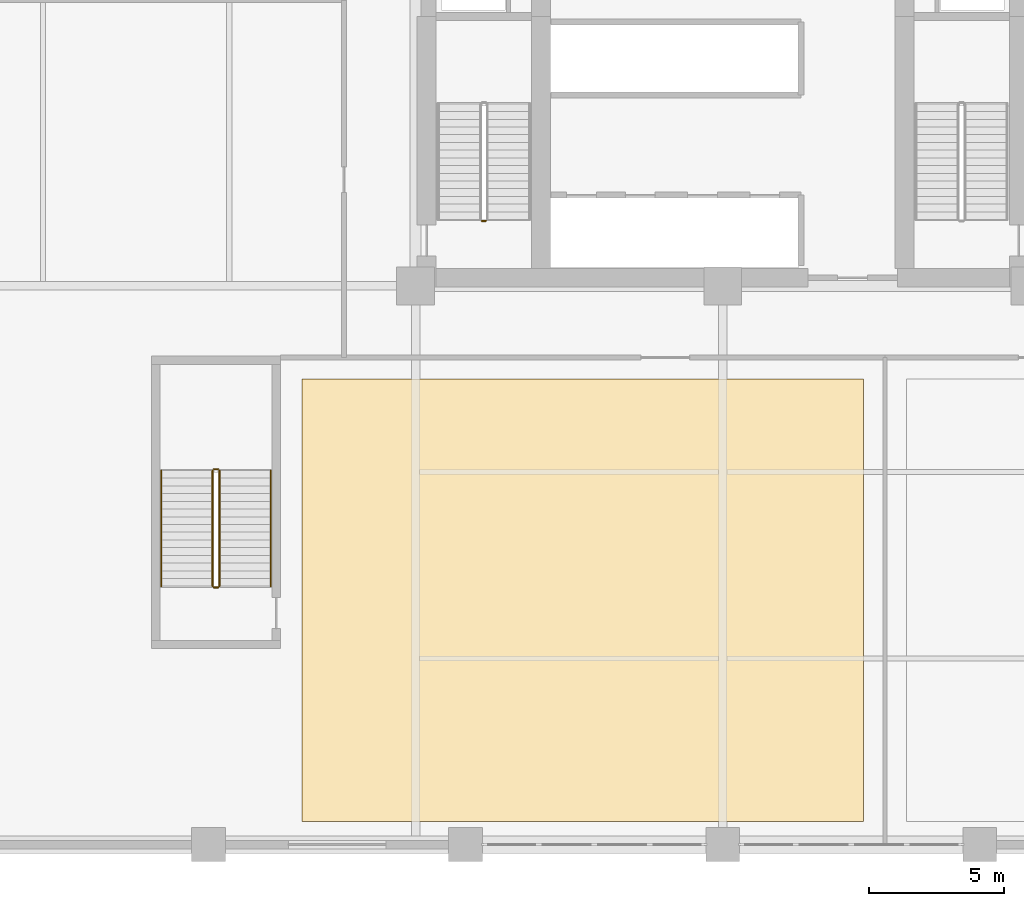
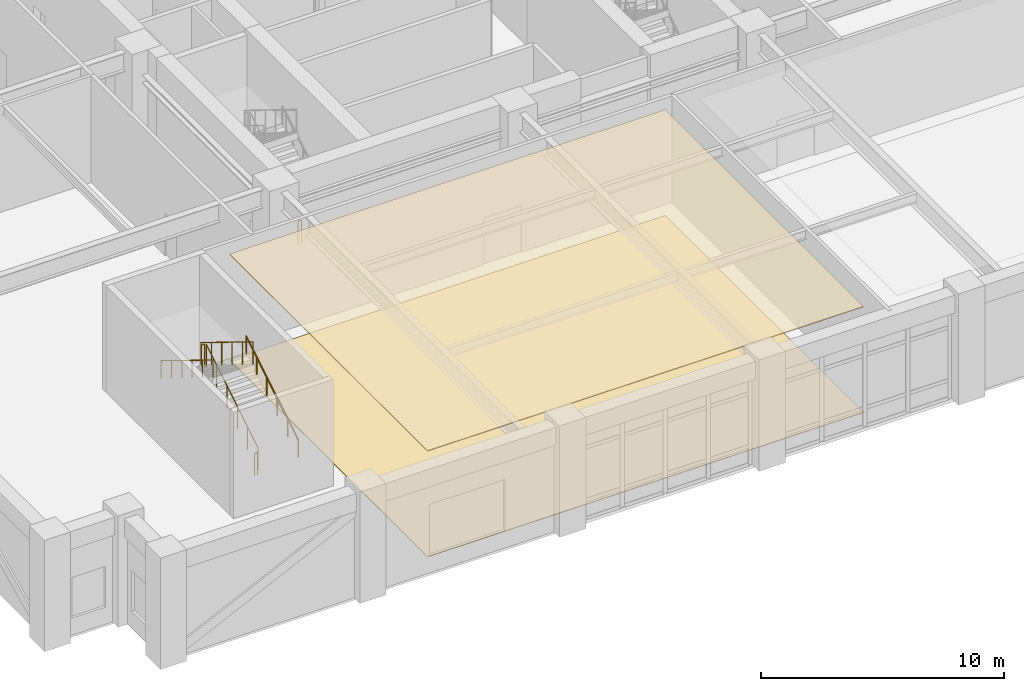
# One storey, part 16 of 21: 7 railings, 2 coverings.
"""IFC4 building model written with IfcOpenShell, lengths in metres."""

from ifc_helpers import new_model, si_unit, direction, frame, origin, origin_2d, place, context, subcontext, project, spatial, polyline, circle, outline, extrude, material, layer, layer_set, type_object, element, save


model = new_model("IFC4")

# Units and contexts
model_context = context("Model", 3, precision=1e-05, world=origin(), true_north=direction((0.0, 1.0)))
body_context = subcontext(model_context, "Body", "Model", "MODEL_VIEW")
ifc_project = project(units=[si_unit("LENGTHUNIT", "METRE"), si_unit("AREAUNIT", "SQUARE_METRE"), si_unit("VOLUMEUNIT", "CUBIC_METRE"), si_unit("PLANEANGLEUNIT", "RADIAN"), si_unit("MASSUNIT", "GRAM", prefix="KILO")], contexts=[model_context])

# Site, building, storey
site_placement = place(None, origin())
site = spatial("IfcSite", under=ifc_project, at=site_placement, CompositionType="ELEMENT")
building_placement = place(site_placement, origin())
building = spatial("IfcBuilding", under=site, at=building_placement, Name="Nhamokura Convention Tower", CompositionType="ELEMENT")
storey_placement = place(building_placement, frame((0.0, 0.0, 6.64990234375)))
storey = spatial("IfcBuildingStorey", under=building, at=storey_placement, Name="L01", CompositionType="ELEMENT", Elevation=6.64990234375)

# Coverings
ifc_material_1 = material(Name="Anodised bronze aluminium ceiling baffle", Category="aluminium")
ifc_layer_1 = layer(ifc_material_1, 0.0400390625)
ifc_layer_set_1 = layer_set([ifc_layer_1], Name="BronzeBaffleCeiling_40")
covering_type_1 = type_object("IfcCoveringType", Name="BronzeBaffleCeiling_40", PredefinedType="CEILING", material=ifc_layer_set_1)
covering_1_placement = place(storey_placement, frame((0.0, 0.0, 5.320068359375)))
element("IfcCovering", 1, at=covering_1_placement, inside=storey, type_object=covering_type_1, Name="L01 Suspended Ceiling 03", PredefinedType="CEILING", context=body_context, shape_type="SweptSolid", body=[
    extrude(outline(polyline([(16.449951171875, 0.860107421875), (37.199951171875, 0.860107421875), (37.199951171875, 17.199951171875), (16.449951171875, 17.199951171875), (16.449951171875, 0.860107421875)])), origin(), (0.0, 0.0, 1.0), 0.0400390625),
])
ifc_material_2 = material(Name="Polished Sabana granite terrazzo", Category="masonry")
ifc_layer_2 = layer(ifc_material_2, 0.030029296875)
ifc_layer_set_2 = layer_set([ifc_layer_2], Name="SabanaTerrazzoFlooring_30")
covering_type_2 = type_object("IfcCoveringType", Name="SabanaTerrazzoFlooring_30", PredefinedType="FLOORING", material=ifc_layer_set_2)
covering_2_placement = place(storey_placement, origin())
element("IfcCovering", 2, at=covering_2_placement, inside=storey, type_object=covering_type_2, Name="L01 Finish Flooring 03", PredefinedType="FLOORING", context=body_context, shape_type="SweptSolid", body=[
    extrude(outline(polyline([(16.449951171875, 0.860107421875), (37.199951171875, 0.860107421875), (37.199951171875, 17.199951171875), (16.449951171875, 17.199951171875), (16.449951171875, 0.860107421875)])), origin(), (0.0, 0.0, 1.0), 0.030029296875),
])

# Railings
ifc_material_3 = material(Name="Anodised bronze stainless steel", Category="steel")
railing_type_1 = type_object("IfcRailingType", Name="StairWallHandrail_900", PredefinedType="HANDRAIL", material=ifc_material_3)
railing_1_placement = place(storey_placement, frame((15.300048828125, 9.550048828125, 0.175048828125)))
element("IfcRailing", 3, at=railing_1_placement, inside=storey, type_object=railing_type_1, Name="L01 ST-04 stair handrail 1", PredefinedType="HANDRAIL", context=body_context, shape_type="SweptSolid", body=[
    extrude(circle(Radius=0.02392578125, at=origin_2d()), frame((0.0, 0.0, 0.8759765625), z_axis=(0.0, 0.852165895541, 0.523271713813), x_axis=(-1.0, 0.0, 0.0)), (0.0, 0.0, 1.0), 5.0166015625),
    extrude(circle(Radius=0.02099609375, at=origin_2d()), origin(), (0.0, 0.0, 1.0), 0.851806640625),
    extrude(circle(Radius=0.02099609375, at=origin_2d()), frame((0.0, 0.85498046875, 0.52490234375)), (0.0, 0.0, 1.0), 0.851806640625),
    extrude(circle(Radius=0.02099609375, at=origin_2d()), frame((0.0, 1.7099609375, 1.050048828125)), (0.0, 0.0, 1.0), 0.851806640625),
    extrude(circle(Radius=0.02099609375, at=origin_2d()), frame((0.0, 2.56494140625, 1.574951171875)), (0.0, 0.0, 1.0), 0.851806640625),
    extrude(circle(Radius=0.02099609375, at=origin_2d()), frame((0.0, 3.419921875, 2.10009765625)), (0.0, 0.0, 1.0), 0.851806640625),
    extrude(circle(Radius=0.02099609375, at=origin_2d()), frame((0.0, 4.27490234375, 2.625)), (0.0, 0.0, 1.0), 0.851806640625),
])
railing_2_placement = place(storey_placement, frame((11.25, 13.824951171875, 2.97509765625)))
element("IfcRailing", 4, at=railing_2_placement, inside=storey, type_object=railing_type_1, Name="L01 ST-04 stair handrail 2", PredefinedType="HANDRAIL", context=body_context, shape_type="SweptSolid", body=[
    extrude(circle(Radius=0.02392578125, at=origin_2d()), frame((0.0, 0.0, 0.8759765625), z_axis=(0.0, -0.852165895541, 0.523271713813), x_axis=(1.0, 0.0, 0.0)), (0.0, 0.0, 1.0), 5.0166015625),
    extrude(circle(Radius=0.02099609375, at=origin_2d()), origin(), (0.0, 0.0, 1.0), 0.851806640625),
    extrude(circle(Radius=0.02099609375, at=origin_2d()), frame((0.0, -0.85498046875, 0.52490234375)), (0.0, 0.0, 1.0), 0.851806640625),
    extrude(circle(Radius=0.02099609375, at=origin_2d()), frame((0.0, -1.7099609375, 1.050048828125)), (0.0, 0.0, 1.0), 0.851806640625),
    extrude(circle(Radius=0.02099609375, at=origin_2d()), frame((0.0, -2.56494140625, 1.574951171875)), (0.0, 0.0, 1.0), 0.851806640625),
    extrude(circle(Radius=0.02099609375, at=origin_2d()), frame((0.0, -3.419921875, 2.10009765625)), (0.0, 0.0, 1.0), 0.851806640625),
    extrude(circle(Radius=0.02099609375, at=origin_2d()), frame((0.0, -4.27490234375, 2.625)), (0.0, 0.0, 1.0), 0.851806640625),
])
ifc_material_4 = material(Name="Painted tubular steel", Category="steel")
railing_type_2 = type_object("IfcRailingType", Name="StairWellGuardrail_1150", PredefinedType="GUARDRAIL", material=ifc_material_4)
railing_3_placement = place(storey_placement, frame((23.25, 23.050048828125, 0.0)))
element("IfcRailing", 5, at=railing_3_placement, inside=storey, type_object=railing_type_2, Name="L01 ST-01 stair guard 4", PredefinedType="GUARDRAIL", context=body_context, shape_type="SweptSolid", body=[
    extrude(circle(Radius=0.02392578125, at=origin_2d()), frame((0.0, 0.0, 1.1259765625), z_axis=(-1.0, 0.0, 0.0), x_axis=(0.0, -1.0, 0.0)), (0.0, 0.0, 1.0), 0.14990234375),
    extrude(circle(Radius=0.02099609375, at=origin_2d()), origin(), (0.0, 0.0, 1.0), 1.101806640625),
    extrude(circle(Radius=0.02099609375, at=origin_2d()), frame((-0.14990234375, 0.0, 0.0)), (0.0, 0.0, 1.0), 1.101806640625),
])
railing_4_placement = place(storey_placement, frame((13.39990234375, 9.550048828125, 0.175048828125)))
element("IfcRailing", 6, at=railing_4_placement, inside=storey, type_object=railing_type_2, Name="L01 ST-04 stair guard 1", PredefinedType="GUARDRAIL", context=body_context, shape_type="SweptSolid", body=[
    extrude(circle(Radius=0.02392578125, at=origin_2d()), frame((0.0, 0.0, 1.1259765625), z_axis=(0.0, 0.852165895541, 0.523271713813), x_axis=(-1.0, 0.0, 0.0)), (0.0, 0.0, 1.0), 5.0166015625),
    extrude(circle(Radius=0.02099609375, at=origin_2d()), origin(), (0.0, 0.0, 1.0), 1.101806640625),
    extrude(circle(Radius=0.02099609375, at=origin_2d()), frame((0.0, 0.85498046875, 0.52490234375)), (0.0, 0.0, 1.0), 1.101806640625),
    extrude(circle(Radius=0.02099609375, at=origin_2d()), frame((0.0, 1.7099609375, 1.050048828125)), (0.0, 0.0, 1.0), 1.101806640625),
    extrude(circle(Radius=0.02099609375, at=origin_2d()), frame((0.0, 2.56494140625, 1.574951171875)), (0.0, 0.0, 1.0), 1.101806640625),
    extrude(circle(Radius=0.02099609375, at=origin_2d()), frame((0.0, 3.419921875, 2.10009765625)), (0.0, 0.0, 1.0), 1.101806640625),
    extrude(circle(Radius=0.02099609375, at=origin_2d()), frame((0.0, 4.27490234375, 2.625)), (0.0, 0.0, 1.0), 1.101806640625),
])
railing_5_placement = place(storey_placement, frame((13.35009765625, 13.875, 2.800048828125)))
element("IfcRailing", 7, at=railing_5_placement, inside=storey, type_object=railing_type_2, Name="L01 ST-04 stair guard 2", PredefinedType="GUARDRAIL", context=body_context, shape_type="SweptSolid", body=[
    extrude(circle(Radius=0.02392578125, at=origin_2d()), frame((0.0, 0.0, 1.1259765625), z_axis=(-1.0, 0.0, 0.0), x_axis=(0.0, -1.0, 0.0)), (0.0, 0.0, 1.0), 0.150146484375),
    extrude(circle(Radius=0.02099609375, at=origin_2d()), origin(), (0.0, 0.0, 1.0), 1.101806640625),
    extrude(circle(Radius=0.02099609375, at=origin_2d()), frame((-0.150146484375, 0.0, 0.0)), (0.0, 0.0, 1.0), 1.101806640625),
])
railing_6_placement = place(storey_placement, frame((13.14990234375, 13.824951171875, 2.97509765625)))
element("IfcRailing", 8, at=railing_6_placement, inside=storey, type_object=railing_type_2, Name="L01 ST-04 stair guard 3", PredefinedType="GUARDRAIL", context=body_context, shape_type="SweptSolid", body=[
    extrude(circle(Radius=0.02392578125, at=origin_2d()), frame((0.0, 0.0, 1.1259765625), z_axis=(0.0, -0.852165895541, 0.523271713813), x_axis=(1.0, 0.0, 0.0)), (0.0, 0.0, 1.0), 5.0166015625),
    extrude(circle(Radius=0.02099609375, at=origin_2d()), origin(), (0.0, 0.0, 1.0), 1.101806640625),
    extrude(circle(Radius=0.02099609375, at=origin_2d()), frame((0.0, -0.85498046875, 0.52490234375)), (0.0, 0.0, 1.0), 1.101806640625),
    extrude(circle(Radius=0.02099609375, at=origin_2d()), frame((0.0, -1.7099609375, 1.050048828125)), (0.0, 0.0, 1.0), 1.101806640625),
    extrude(circle(Radius=0.02099609375, at=origin_2d()), frame((0.0, -2.56494140625, 1.574951171875)), (0.0, 0.0, 1.0), 1.101806640625),
    extrude(circle(Radius=0.02099609375, at=origin_2d()), frame((0.0, -3.419921875, 2.10009765625)), (0.0, 0.0, 1.0), 1.101806640625),
    extrude(circle(Radius=0.02099609375, at=origin_2d()), frame((0.0, -4.27490234375, 2.625)), (0.0, 0.0, 1.0), 1.101806640625),
])
railing_7_placement = place(storey_placement, frame((13.35009765625, 9.5, 0.0)))
element("IfcRailing", 9, at=railing_7_placement, inside=storey, type_object=railing_type_2, Name="L01 ST-04 stair guard 4", PredefinedType="GUARDRAIL", context=body_context, shape_type="SweptSolid", body=[
    extrude(circle(Radius=0.02392578125, at=origin_2d()), frame((0.0, 0.0, 1.1259765625), z_axis=(-1.0, 0.0, 0.0), x_axis=(0.0, -1.0, 0.0)), (0.0, 0.0, 1.0), 0.150146484375),
    extrude(circle(Radius=0.02099609375, at=origin_2d()), origin(), (0.0, 0.0, 1.0), 1.101806640625),
    extrude(circle(Radius=0.02099609375, at=origin_2d()), frame((-0.150146484375, 0.0, 0.0)), (0.0, 0.0, 1.0), 1.101806640625),
])

save(model, "model.ifc")
